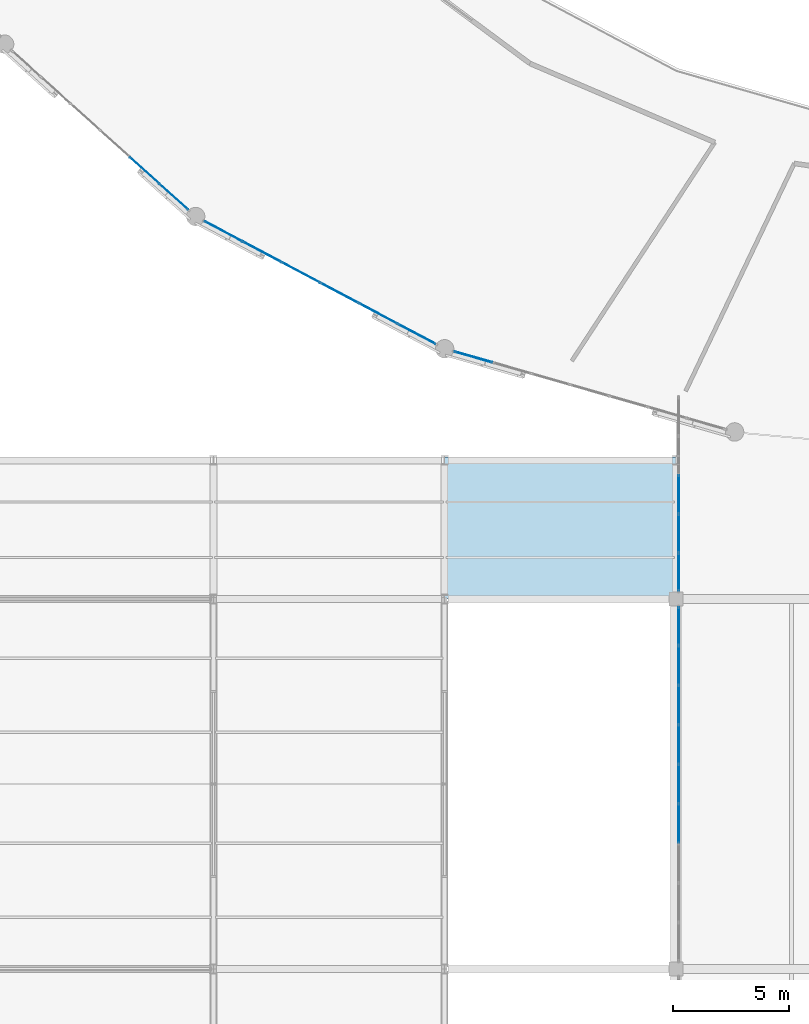
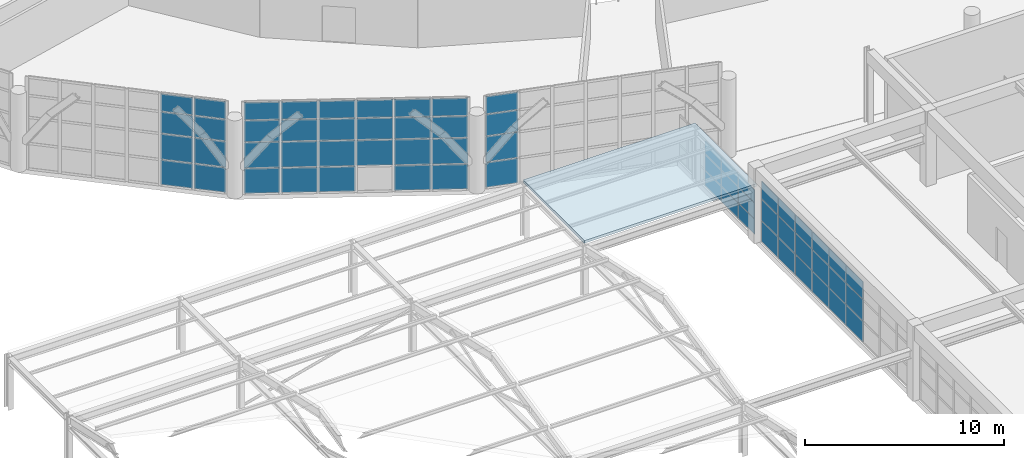
# One storey, part 62 of 109: 62 plates, 1 slab, 6 elements without a shape of their own.
"""IFC4 building model written with IfcOpenShell, lengths in metres."""

from ifc_helpers import new_model, si_unit, direction, frame, origin, origin_2d, place, context, subcontext, project, spatial, polyline, rectangle, outline, extrude, material, layer, layer_set, type_object, element, aggregate, save


model = new_model("IFC4")

# Units and contexts
model_context = context("Model", 3, precision=1e-05, world=origin(), true_north=direction((0.0, 1.0)))
body_context = subcontext(model_context, "Body", "Model", "MODEL_VIEW")
ifc_project = project(units=[si_unit("LENGTHUNIT", "METRE"), si_unit("AREAUNIT", "SQUARE_METRE"), si_unit("VOLUMEUNIT", "CUBIC_METRE"), si_unit("PLANEANGLEUNIT", "RADIAN"), si_unit("MASSUNIT", "GRAM", prefix="KILO")], contexts=[model_context])

# Site, building, storey
site_placement = place(None, origin())
site = spatial("IfcSite", under=ifc_project, at=site_placement, CompositionType="ELEMENT")
building_placement = place(site_placement, origin())
building = spatial("IfcBuilding", under=site, at=building_placement, Name="Kivolera Central Railway Station", CompositionType="ELEMENT")
storey_placement = place(building_placement, frame((0.0, 0.0, 9.60009765625)))
storey = spatial("IfcBuildingStorey", under=building, at=storey_placement, Name="L02", CompositionType="ELEMENT", Elevation=9.60009765625)

# Curtain wall, plates
ifc_material_1 = material(Name="Anodised aluminium", Category="aluminium")
ifc_layer_1 = layer(ifc_material_1, 0.179931640625, Name="Anodised aluminium")
ifc_layer_set_1 = layer_set([ifc_layer_1], Name="Anodised aluminium")
curtain_wall_type_1 = type_object("IfcCurtainWallType", Name="CW-SYS-06", PredefinedType="NOTDEFINED", material=ifc_layer_set_1)
curtain_wall_1_placement = place(storey_placement, origin())
curtain_wall_1 = element("IfcCurtainWall", 1, at=curtain_wall_1_placement, inside=storey, type_object=curtain_wall_type_1, Name="L02 Curtain Wall CW-L02-OVL-14", PredefinedType="NOTDEFINED")
ifc_material_2 = material(Name="Double low-E laminated glass", Category="glass")
ifc_layer_2 = layer(ifc_material_2, 0.030029296875, Name="Double low-E laminated glass")
ifc_layer_set_2 = layer_set([ifc_layer_2], Name="Double low-E laminated glass")
plate_type_1 = type_object("IfcPlateType", Name="CWP-GLZ-2", PredefinedType="CURTAIN_PANEL", material=ifc_layer_set_2)
plate_1_placement = place(storey_placement, frame((26.281005859375, 65.400390625, 0.057861328125), z_axis=(0.0, 0.0, 1.0), x_axis=(-0.742431873669, 0.669921572246, 0.0)))
plate_1 = element("IfcPlate", 2, at=plate_1_placement, type_object=plate_type_1, Name="CW-06 panel 1.1", PredefinedType="CURTAIN_PANEL", context=body_context, shape_type="SweptSolid", body=[
    extrude(rectangle(XDim=1.640625, YDim=0.030029296875, at=origin_2d()), origin(), (0.0, 0.0, 1.0), 1.51904296875),
])
plate_2_placement = place(storey_placement, frame((26.281005859375, 65.400390625, 1.623046875), z_axis=(0.0, 0.0, 1.0), x_axis=(-0.742431873669, 0.669921572246, 0.0)))
plate_2 = element("IfcPlate", 3, at=plate_2_placement, type_object=plate_type_1, Name="CW-06 panel 1.2", PredefinedType="CURTAIN_PANEL", context=body_context, shape_type="SweptSolid", body=[
    extrude(rectangle(XDim=1.640625, YDim=0.030029296875, at=origin_2d()), origin(), (0.0, 0.0, 1.0), 1.553955078125),
])
plate_3_placement = place(storey_placement, frame((26.281005859375, 65.400390625, 3.22314453125), z_axis=(0.0, 0.0, 1.0), x_axis=(-0.742431873669, 0.669921572246, 0.0)))
plate_3 = element("IfcPlate", 4, at=plate_3_placement, type_object=plate_type_1, Name="CW-06 panel 1.3", PredefinedType="CURTAIN_PANEL", context=body_context, shape_type="SweptSolid", body=[
    extrude(rectangle(XDim=1.640625, YDim=0.030029296875, at=origin_2d()), origin(), (0.0, 0.0, 1.0), 1.303955078125),
])
plate_4_placement = place(storey_placement, frame((26.281005859375, 65.400390625, 4.57275390625), z_axis=(0.0, 0.0, 1.0), x_axis=(-0.742431873669, 0.669921572246, 0.0)))
plate_4 = element("IfcPlate", 5, at=plate_4_placement, type_object=plate_type_1, Name="CW-06 panel 1.4", PredefinedType="CURTAIN_PANEL", context=body_context, shape_type="SweptSolid", body=[
    extrude(rectangle(XDim=1.640625, YDim=0.030029296875, at=origin_2d()), origin(), (0.0, 0.0, 1.0), 1.069091796875),
])
plate_5_placement = place(storey_placement, frame((25.015869140625, 66.5419921875, 0.057861328125), z_axis=(0.0, 0.0, 1.0), x_axis=(-0.742431873669, 0.669921572246, 0.0)))
plate_5 = element("IfcPlate", 6, at=plate_5_placement, type_object=plate_type_1, Name="CW-06 panel 2.1", PredefinedType="CURTAIN_PANEL", context=body_context, shape_type="SweptSolid", body=[
    extrude(rectangle(XDim=1.675537109375, YDim=0.030029296875, at=origin_2d()), origin(), (0.0, 0.0, 1.0), 1.51904296875),
])
plate_6_placement = place(storey_placement, frame((25.015869140625, 66.5419921875, 1.623046875), z_axis=(0.0, 0.0, 1.0), x_axis=(-0.742431873669, 0.669921572246, 0.0)))
plate_6 = element("IfcPlate", 7, at=plate_6_placement, type_object=plate_type_1, Name="CW-06 panel 2.2", PredefinedType="CURTAIN_PANEL", context=body_context, shape_type="SweptSolid", body=[
    extrude(rectangle(XDim=1.675537109375, YDim=0.030029296875, at=origin_2d()), origin(), (0.0, 0.0, 1.0), 1.553955078125),
])
plate_7_placement = place(storey_placement, frame((25.015869140625, 66.5419921875, 3.22314453125), z_axis=(0.0, 0.0, 1.0), x_axis=(-0.742431873669, 0.669921572246, 0.0)))
plate_7 = element("IfcPlate", 8, at=plate_7_placement, type_object=plate_type_1, Name="CW-06 panel 2.3", PredefinedType="CURTAIN_PANEL", context=body_context, shape_type="SweptSolid", body=[
    extrude(rectangle(XDim=1.675537109375, YDim=0.030029296875, at=origin_2d()), origin(), (0.0, 0.0, 1.0), 1.303955078125),
])
plate_8_placement = place(storey_placement, frame((25.015869140625, 66.5419921875, 4.57275390625), z_axis=(0.0, 0.0, 1.0), x_axis=(-0.742431873669, 0.669921572246, 0.0)))
plate_8 = element("IfcPlate", 9, at=plate_8_placement, type_object=plate_type_1, Name="CW-06 panel 2.4", PredefinedType="CURTAIN_PANEL", context=body_context, shape_type="SweptSolid", body=[
    extrude(rectangle(XDim=1.675537109375, YDim=0.030029296875, at=origin_2d()), origin(), (0.0, 0.0, 1.0), 1.069091796875),
])
aggregate(curtain_wall_1, [plate_1, plate_2, plate_3, plate_4, plate_5, plate_6, plate_7, plate_8])

ifc_layer_3 = layer(ifc_material_1, 0.179931640625, Name="Anodised aluminium")
ifc_layer_set_3 = layer_set([ifc_layer_3], Name="Anodised aluminium")
curtain_wall_type_2 = type_object("IfcCurtainWallType", Name="CW-SYS-09", PredefinedType="NOTDEFINED", material=ifc_layer_set_3)
curtain_wall_2_placement = place(storey_placement, origin())
curtain_wall_2 = element("IfcCurtainWall", 10, at=curtain_wall_2_placement, inside=storey, type_object=curtain_wall_type_2, Name="L02 Curtain Wall CW-L02-OVL-15", PredefinedType="NOTDEFINED")
ifc_layer_4 = layer(ifc_material_2, 0.033935546875, Name="Double low-E laminated glass")
ifc_layer_set_4 = layer_set([ifc_layer_4], Name="Double low-E laminated glass")
plate_type_2 = type_object("IfcPlateType", Name="CWP-GLZ-3", PredefinedType="CURTAIN_PANEL", material=ifc_layer_set_4)
plate_9_placement = place(storey_placement, frame((36.79296875, 59.464599609375, 0.057861328125), z_axis=(0.0, 0.0, 1.0), x_axis=(-0.883170250772, 0.46905256438, 0.0)))
plate_9 = element("IfcPlate", 11, at=plate_9_placement, type_object=plate_type_2, Name="CW-09 panel 1.1", PredefinedType="CURTAIN_PANEL", context=body_context, shape_type="SweptSolid", body=[
    extrude(rectangle(XDim=1.818115234375, YDim=0.033935546875, at=origin_2d()), origin(), (0.0, 0.0, 1.0), 1.51904296875),
])
plate_10_placement = place(storey_placement, frame((36.79296875, 59.464599609375, 1.623046875), z_axis=(0.0, 0.0, 1.0), x_axis=(-0.883170250772, 0.46905256438, 0.0)))
plate_10 = element("IfcPlate", 12, at=plate_10_placement, type_object=plate_type_2, Name="CW-09 panel 1.2", PredefinedType="CURTAIN_PANEL", context=body_context, shape_type="SweptSolid", body=[
    extrude(rectangle(XDim=1.818115234375, YDim=0.033935546875, at=origin_2d()), origin(), (0.0, 0.0, 1.0), 1.553955078125),
])
plate_11_placement = place(storey_placement, frame((36.79296875, 59.464599609375, 3.22314453125), z_axis=(0.0, 0.0, 1.0), x_axis=(-0.883170250772, 0.46905256438, 0.0)))
plate_11 = element("IfcPlate", 13, at=plate_11_placement, type_object=plate_type_2, Name="CW-09 panel 1.3", PredefinedType="CURTAIN_PANEL", context=body_context, shape_type="SweptSolid", body=[
    extrude(rectangle(XDim=1.818115234375, YDim=0.033935546875, at=origin_2d()), origin(), (0.0, 0.0, 1.0), 1.303955078125),
])
plate_12_placement = place(storey_placement, frame((36.79296875, 59.464599609375, 4.57275390625), z_axis=(0.0, 0.0, 1.0), x_axis=(-0.883170250772, 0.46905256438, 0.0)))
plate_12 = element("IfcPlate", 14, at=plate_12_placement, type_object=plate_type_2, Name="CW-09 panel 1.4", PredefinedType="CURTAIN_PANEL", context=body_context, shape_type="SweptSolid", body=[
    extrude(rectangle(XDim=1.818115234375, YDim=0.033935546875, at=origin_2d()), origin(), (0.0, 0.0, 1.0), 1.069091796875),
])
plate_13_placement = place(storey_placement, frame((35.131103515625, 60.34716796875, 0.057861328125), z_axis=(0.0, 0.0, 1.0), x_axis=(-0.883170250772, 0.46905256438, 0.0)))
plate_13 = element("IfcPlate", 15, at=plate_13_placement, type_object=plate_type_2, Name="CW-09 panel 2.1", PredefinedType="CURTAIN_PANEL", context=body_context, shape_type="SweptSolid", body=[
    extrude(rectangle(XDim=1.853271484375, YDim=0.033935546875, at=origin_2d()), origin(), (0.0, 0.0, 1.0), 1.51904296875),
])
plate_14_placement = place(storey_placement, frame((35.131103515625, 60.34716796875, 1.623046875), z_axis=(0.0, 0.0, 1.0), x_axis=(-0.883170250772, 0.46905256438, 0.0)))
plate_14 = element("IfcPlate", 16, at=plate_14_placement, type_object=plate_type_2, Name="CW-09 panel 2.2", PredefinedType="CURTAIN_PANEL", context=body_context, shape_type="SweptSolid", body=[
    extrude(rectangle(XDim=1.853271484375, YDim=0.033935546875, at=origin_2d()), origin(), (0.0, 0.0, 1.0), 1.553955078125),
])
plate_15_placement = place(storey_placement, frame((35.131103515625, 60.34716796875, 3.22314453125), z_axis=(0.0, 0.0, 1.0), x_axis=(-0.883170250772, 0.46905256438, 0.0)))
plate_15 = element("IfcPlate", 17, at=plate_15_placement, type_object=plate_type_2, Name="CW-09 panel 2.3", PredefinedType="CURTAIN_PANEL", context=body_context, shape_type="SweptSolid", body=[
    extrude(rectangle(XDim=1.853271484375, YDim=0.033935546875, at=origin_2d()), origin(), (0.0, 0.0, 1.0), 1.303955078125),
])
plate_16_placement = place(storey_placement, frame((35.131103515625, 60.34716796875, 4.57275390625), z_axis=(0.0, 0.0, 1.0), x_axis=(-0.883170250772, 0.46905256438, 0.0)))
plate_16 = element("IfcPlate", 18, at=plate_16_placement, type_object=plate_type_2, Name="CW-09 panel 2.4", PredefinedType="CURTAIN_PANEL", context=body_context, shape_type="SweptSolid", body=[
    extrude(rectangle(XDim=1.853271484375, YDim=0.033935546875, at=origin_2d()), origin(), (0.0, 0.0, 1.0), 1.069091796875),
])
plate_17_placement = place(storey_placement, frame((33.45361328125, 61.238037109375, 1.623046875), z_axis=(0.0, 0.0, 1.0), x_axis=(-0.883170250772, 0.46905256438, 0.0)))
plate_17 = element("IfcPlate", 19, at=plate_17_placement, type_object=plate_type_2, Name="CW-09 panel 3.2", PredefinedType="CURTAIN_PANEL", context=body_context, shape_type="SweptSolid", body=[
    extrude(rectangle(XDim=1.853271484375, YDim=0.033935546875, at=origin_2d()), origin(), (0.0, 0.0, 1.0), 1.553955078125),
])
plate_18_placement = place(storey_placement, frame((33.45361328125, 61.238037109375, 3.22314453125), z_axis=(0.0, 0.0, 1.0), x_axis=(-0.883170250772, 0.46905256438, 0.0)))
plate_18 = element("IfcPlate", 20, at=plate_18_placement, type_object=plate_type_2, Name="CW-09 panel 3.3", PredefinedType="CURTAIN_PANEL", context=body_context, shape_type="SweptSolid", body=[
    extrude(rectangle(XDim=1.853271484375, YDim=0.033935546875, at=origin_2d()), origin(), (0.0, 0.0, 1.0), 1.303955078125),
])
plate_19_placement = place(storey_placement, frame((33.45361328125, 61.238037109375, 4.57275390625), z_axis=(0.0, 0.0, 1.0), x_axis=(-0.883170250772, 0.46905256438, 0.0)))
plate_19 = element("IfcPlate", 21, at=plate_19_placement, type_object=plate_type_2, Name="CW-09 panel 3.4", PredefinedType="CURTAIN_PANEL", context=body_context, shape_type="SweptSolid", body=[
    extrude(rectangle(XDim=1.853271484375, YDim=0.033935546875, at=origin_2d()), origin(), (0.0, 0.0, 1.0), 1.069091796875),
])
plate_20_placement = place(storey_placement, frame((31.7763671875, 62.12890625, 0.057861328125), z_axis=(0.0, 0.0, 1.0), x_axis=(-0.883170250772, 0.46905256438, 0.0)))
plate_20 = element("IfcPlate", 22, at=plate_20_placement, type_object=plate_type_2, Name="CW-09 panel 4.1", PredefinedType="CURTAIN_PANEL", context=body_context, shape_type="SweptSolid", body=[
    extrude(rectangle(XDim=1.853271484375, YDim=0.033935546875, at=origin_2d()), origin(), (0.0, 0.0, 1.0), 1.51904296875),
])
plate_21_placement = place(storey_placement, frame((31.7763671875, 62.12890625, 1.623046875), z_axis=(0.0, 0.0, 1.0), x_axis=(-0.883170250772, 0.46905256438, 0.0)))
plate_21 = element("IfcPlate", 23, at=plate_21_placement, type_object=plate_type_2, Name="CW-09 panel 4.2", PredefinedType="CURTAIN_PANEL", context=body_context, shape_type="SweptSolid", body=[
    extrude(rectangle(XDim=1.853271484375, YDim=0.033935546875, at=origin_2d()), origin(), (0.0, 0.0, 1.0), 1.553955078125),
])
plate_22_placement = place(storey_placement, frame((31.7763671875, 62.12890625, 3.22314453125), z_axis=(0.0, 0.0, 1.0), x_axis=(-0.883170250772, 0.46905256438, 0.0)))
plate_22 = element("IfcPlate", 24, at=plate_22_placement, type_object=plate_type_2, Name="CW-09 panel 4.3", PredefinedType="CURTAIN_PANEL", context=body_context, shape_type="SweptSolid", body=[
    extrude(rectangle(XDim=1.853271484375, YDim=0.033935546875, at=origin_2d()), origin(), (0.0, 0.0, 1.0), 1.303955078125),
])
plate_23_placement = place(storey_placement, frame((31.7763671875, 62.12890625, 4.57275390625), z_axis=(0.0, 0.0, 1.0), x_axis=(-0.883170250772, 0.46905256438, 0.0)))
plate_23 = element("IfcPlate", 25, at=plate_23_placement, type_object=plate_type_2, Name="CW-09 panel 4.4", PredefinedType="CURTAIN_PANEL", context=body_context, shape_type="SweptSolid", body=[
    extrude(rectangle(XDim=1.853271484375, YDim=0.033935546875, at=origin_2d()), origin(), (0.0, 0.0, 1.0), 1.069091796875),
])
plate_24_placement = place(storey_placement, frame((30.09912109375, 63.019775390625, 0.057861328125), z_axis=(0.0, 0.0, 1.0), x_axis=(-0.883170250772, 0.46905256438, 0.0)))
plate_24 = element("IfcPlate", 26, at=plate_24_placement, type_object=plate_type_2, Name="CW-09 panel 5.1", PredefinedType="CURTAIN_PANEL", context=body_context, shape_type="SweptSolid", body=[
    extrude(rectangle(XDim=1.853271484375, YDim=0.033935546875, at=origin_2d()), origin(), (0.0, 0.0, 1.0), 1.51904296875),
])
plate_25_placement = place(storey_placement, frame((30.09912109375, 63.019775390625, 1.623046875), z_axis=(0.0, 0.0, 1.0), x_axis=(-0.883170250772, 0.46905256438, 0.0)))
plate_25 = element("IfcPlate", 27, at=plate_25_placement, type_object=plate_type_2, Name="CW-09 panel 5.2", PredefinedType="CURTAIN_PANEL", context=body_context, shape_type="SweptSolid", body=[
    extrude(rectangle(XDim=1.853271484375, YDim=0.033935546875, at=origin_2d()), origin(), (0.0, 0.0, 1.0), 1.553955078125),
])
plate_26_placement = place(storey_placement, frame((30.09912109375, 63.019775390625, 3.22314453125), z_axis=(0.0, 0.0, 1.0), x_axis=(-0.883170250772, 0.46905256438, 0.0)))
plate_26 = element("IfcPlate", 28, at=plate_26_placement, type_object=plate_type_2, Name="CW-09 panel 5.3", PredefinedType="CURTAIN_PANEL", context=body_context, shape_type="SweptSolid", body=[
    extrude(rectangle(XDim=1.853271484375, YDim=0.033935546875, at=origin_2d()), origin(), (0.0, 0.0, 1.0), 1.303955078125),
])
plate_27_placement = place(storey_placement, frame((30.09912109375, 63.019775390625, 4.57275390625), z_axis=(0.0, 0.0, 1.0), x_axis=(-0.883170250772, 0.46905256438, 0.0)))
plate_27 = element("IfcPlate", 29, at=plate_27_placement, type_object=plate_type_2, Name="CW-09 panel 5.4", PredefinedType="CURTAIN_PANEL", context=body_context, shape_type="SweptSolid", body=[
    extrude(rectangle(XDim=1.853271484375, YDim=0.033935546875, at=origin_2d()), origin(), (0.0, 0.0, 1.0), 1.069091796875),
])
plate_28_placement = place(storey_placement, frame((28.43701171875, 63.90234375, 0.057861328125), z_axis=(0.0, 0.0, 1.0), x_axis=(-0.883170250772, 0.46905256438, 0.0)))
plate_28 = element("IfcPlate", 30, at=plate_28_placement, type_object=plate_type_2, Name="CW-09 panel 6.1", PredefinedType="CURTAIN_PANEL", context=body_context, shape_type="SweptSolid", body=[
    extrude(rectangle(XDim=1.818115234375, YDim=0.033935546875, at=origin_2d()), origin(), (0.0, 0.0, 1.0), 1.51904296875),
])
plate_29_placement = place(storey_placement, frame((28.43701171875, 63.90234375, 1.623046875), z_axis=(0.0, 0.0, 1.0), x_axis=(-0.883170250772, 0.46905256438, 0.0)))
plate_29 = element("IfcPlate", 31, at=plate_29_placement, type_object=plate_type_2, Name="CW-09 panel 6.2", PredefinedType="CURTAIN_PANEL", context=body_context, shape_type="SweptSolid", body=[
    extrude(rectangle(XDim=1.818115234375, YDim=0.033935546875, at=origin_2d()), origin(), (0.0, 0.0, 1.0), 1.553955078125),
])
plate_30_placement = place(storey_placement, frame((28.43701171875, 63.90234375, 3.22314453125), z_axis=(0.0, 0.0, 1.0), x_axis=(-0.883170250772, 0.46905256438, 0.0)))
plate_30 = element("IfcPlate", 32, at=plate_30_placement, type_object=plate_type_2, Name="CW-09 panel 6.3", PredefinedType="CURTAIN_PANEL", context=body_context, shape_type="SweptSolid", body=[
    extrude(rectangle(XDim=1.818115234375, YDim=0.033935546875, at=origin_2d()), origin(), (0.0, 0.0, 1.0), 1.303955078125),
])
plate_31_placement = place(storey_placement, frame((28.43701171875, 63.90234375, 4.57275390625), z_axis=(0.0, 0.0, 1.0), x_axis=(-0.883170250772, 0.46905256438, 0.0)))
plate_31 = element("IfcPlate", 33, at=plate_31_placement, type_object=plate_type_2, Name="CW-09 panel 6.4", PredefinedType="CURTAIN_PANEL", context=body_context, shape_type="SweptSolid", body=[
    extrude(rectangle(XDim=1.818115234375, YDim=0.033935546875, at=origin_2d()), origin(), (0.0, 0.0, 1.0), 1.069091796875),
])
aggregate(curtain_wall_2, [plate_9, plate_10, plate_11, plate_12, plate_13, plate_14, plate_15, plate_16, plate_17, plate_18, plate_19, plate_20, plate_21, plate_22, plate_23, plate_24, plate_25, plate_26, plate_27, plate_28, plate_29, plate_30, plate_31])

ifc_layer_5 = layer(ifc_material_1, 0.179931640625, Name="Anodised aluminium")
ifc_layer_set_5 = layer_set([ifc_layer_5], Name="Anodised aluminium")
curtain_wall_type_3 = type_object("IfcCurtainWallType", Name="CW-SYS-11", PredefinedType="NOTDEFINED", material=ifc_layer_set_5)
curtain_wall_3_placement = place(storey_placement, origin())
curtain_wall_3 = element("IfcCurtainWall", 34, at=curtain_wall_3_placement, inside=storey, type_object=curtain_wall_type_3, Name="L02 Curtain Wall CW-L02-OVL-16", PredefinedType="NOTDEFINED")
ifc_layer_6 = layer(ifc_material_2, 0.0380859375, Name="Double low-E laminated glass")
ifc_layer_set_6 = layer_set([ifc_layer_6], Name="Double low-E laminated glass")
plate_type_3 = type_object("IfcPlateType", Name="CWP-GLZ-4", PredefinedType="CURTAIN_PANEL", material=ifc_layer_set_6)
plate_32_placement = place(storey_placement, frame((39.24267578125, 58.467041015625, 0.057861328125), z_axis=(0.0, 0.0, 1.0), x_axis=(-0.961246112288, 0.275691696668, 0.0)))
plate_32 = element("IfcPlate", 35, at=plate_32_placement, type_object=plate_type_3, Name="CW-11 panel 7.1", PredefinedType="CURTAIN_PANEL", context=body_context, shape_type="SweptSolid", body=[
    extrude(rectangle(XDim=1.66845703125, YDim=0.0380859375, at=origin_2d()), origin(), (0.0, 0.0, 1.0), 1.51904296875),
])
plate_33_placement = place(storey_placement, frame((39.24267578125, 58.467041015625, 1.623046875), z_axis=(0.0, 0.0, 1.0), x_axis=(-0.961246112288, 0.275691696668, 0.0)))
plate_33 = element("IfcPlate", 36, at=plate_33_placement, type_object=plate_type_3, Name="CW-11 panel 7.2", PredefinedType="CURTAIN_PANEL", context=body_context, shape_type="SweptSolid", body=[
    extrude(rectangle(XDim=1.66845703125, YDim=0.0380859375, at=origin_2d()), origin(), (0.0, 0.0, 1.0), 1.553955078125),
])
plate_34_placement = place(storey_placement, frame((39.24267578125, 58.467041015625, 3.22314453125), z_axis=(0.0, 0.0, 1.0), x_axis=(-0.961246112288, 0.275691696668, 0.0)))
plate_34 = element("IfcPlate", 37, at=plate_34_placement, type_object=plate_type_3, Name="CW-11 panel 7.3", PredefinedType="CURTAIN_PANEL", context=body_context, shape_type="SweptSolid", body=[
    extrude(rectangle(XDim=1.66845703125, YDim=0.0380859375, at=origin_2d()), origin(), (0.0, 0.0, 1.0), 1.303955078125),
])
plate_35_placement = place(storey_placement, frame((39.24267578125, 58.467041015625, 4.57275390625), z_axis=(0.0, 0.0, 1.0), x_axis=(-0.961246112288, 0.275691696668, 0.0)))
plate_35 = element("IfcPlate", 38, at=plate_35_placement, type_object=plate_type_3, Name="CW-11 panel 7.4", PredefinedType="CURTAIN_PANEL", context=body_context, shape_type="SweptSolid", body=[
    extrude(rectangle(XDim=1.66845703125, YDim=0.0380859375, at=origin_2d()), origin(), (0.0, 0.0, 1.0), 1.069091796875),
])
aggregate(curtain_wall_3, [plate_32, plate_33, plate_34, plate_35])

ifc_layer_7 = layer(ifc_material_1, 0.179931640625, Name="Anodised aluminium")
ifc_layer_set_7 = layer_set([ifc_layer_7], Name="Anodised aluminium")
curtain_wall_type_4 = type_object("IfcCurtainWallType", Name="CW-SYS-18", PredefinedType="NOTDEFINED", material=ifc_layer_set_7)
curtain_wall_4_placement = place(storey_placement, origin())
curtain_wall_4 = element("IfcCurtainWall", 39, at=curtain_wall_4_placement, inside=storey, type_object=curtain_wall_type_4, Name="L02 Curtain Wall CW-L02-BRGW-3", PredefinedType="NOTDEFINED")
plate_36_placement = place(storey_placement, frame((48.1201171875, 38.291015625, 0.0478515625), z_axis=(0.0, 0.0, 1.0), x_axis=(0.0, 1.0, 0.0)))
plate_36 = element("IfcPlate", 40, at=plate_36_placement, type_object=plate_type_3, Name="CW-18 panel 4.1", PredefinedType="CURTAIN_PANEL", context=body_context, shape_type="SweptSolid", body=[
    extrude(rectangle(XDim=1.6728515625, YDim=0.0380859375, at=origin_2d()), origin(), (0.0, 0.0, 1.0), 1.263916015625),
])
plate_37_placement = place(storey_placement, frame((48.1201171875, 38.291015625, 1.347900390625), z_axis=(0.0, 0.0, 1.0), x_axis=(0.0, 1.0, 0.0)))
plate_37 = element("IfcPlate", 41, at=plate_37_placement, type_object=plate_type_3, Name="CW-18 panel 4.2", PredefinedType="CURTAIN_PANEL", context=body_context, shape_type="SweptSolid", body=[
    extrude(rectangle(XDim=1.6728515625, YDim=0.0380859375, at=origin_2d()), origin(), (0.0, 0.0, 1.0), 1.2939453125),
])
plate_38_placement = place(storey_placement, frame((48.1201171875, 38.291015625, 2.677734375), z_axis=(0.0, 0.0, 1.0), x_axis=(0.0, 1.0, 0.0)))
plate_38 = element("IfcPlate", 42, at=plate_38_placement, type_object=plate_type_3, Name="CW-18 panel 4.3", PredefinedType="CURTAIN_PANEL", context=body_context, shape_type="SweptSolid", body=[
    extrude(rectangle(XDim=1.6728515625, YDim=0.0380859375, at=origin_2d()), origin(), (0.0, 0.0, 1.0), 1.073974609375),
])
plate_39_placement = place(storey_placement, frame((48.1201171875, 40.0, 0.0478515625), z_axis=(0.0, 0.0, 1.0), x_axis=(0.0, 1.0, 0.0)))
plate_39 = element("IfcPlate", 43, at=plate_39_placement, type_object=plate_type_3, Name="CW-18 panel 5.1", PredefinedType="CURTAIN_PANEL", context=body_context, shape_type="SweptSolid", body=[
    extrude(rectangle(XDim=1.6728515625, YDim=0.0380859375, at=origin_2d()), origin(), (0.0, 0.0, 1.0), 1.263916015625),
])
plate_40_placement = place(storey_placement, frame((48.1201171875, 40.0, 1.347900390625), z_axis=(0.0, 0.0, 1.0), x_axis=(0.0, 1.0, 0.0)))
plate_40 = element("IfcPlate", 44, at=plate_40_placement, type_object=plate_type_3, Name="CW-18 panel 5.2", PredefinedType="CURTAIN_PANEL", context=body_context, shape_type="SweptSolid", body=[
    extrude(rectangle(XDim=1.6728515625, YDim=0.0380859375, at=origin_2d()), origin(), (0.0, 0.0, 1.0), 1.2939453125),
])
plate_41_placement = place(storey_placement, frame((48.1201171875, 40.0, 2.677734375), z_axis=(0.0, 0.0, 1.0), x_axis=(0.0, 1.0, 0.0)))
plate_41 = element("IfcPlate", 45, at=plate_41_placement, type_object=plate_type_3, Name="CW-18 panel 5.3", PredefinedType="CURTAIN_PANEL", context=body_context, shape_type="SweptSolid", body=[
    extrude(rectangle(XDim=1.6728515625, YDim=0.0380859375, at=origin_2d()), origin(), (0.0, 0.0, 1.0), 1.073974609375),
])
plate_42_placement = place(storey_placement, frame((48.1201171875, 41.708984375, 0.0478515625), z_axis=(0.0, 0.0, 1.0), x_axis=(0.0, 1.0, 0.0)))
plate_42 = element("IfcPlate", 46, at=plate_42_placement, type_object=plate_type_3, Name="CW-18 panel 6.1", PredefinedType="CURTAIN_PANEL", context=body_context, shape_type="SweptSolid", body=[
    extrude(rectangle(XDim=1.6728515625, YDim=0.0380859375, at=origin_2d()), origin(), (0.0, 0.0, 1.0), 1.263916015625),
])
plate_43_placement = place(storey_placement, frame((48.1201171875, 41.708984375, 1.347900390625), z_axis=(0.0, 0.0, 1.0), x_axis=(0.0, 1.0, 0.0)))
plate_43 = element("IfcPlate", 47, at=plate_43_placement, type_object=plate_type_3, Name="CW-18 panel 6.2", PredefinedType="CURTAIN_PANEL", context=body_context, shape_type="SweptSolid", body=[
    extrude(rectangle(XDim=1.6728515625, YDim=0.0380859375, at=origin_2d()), origin(), (0.0, 0.0, 1.0), 1.2939453125),
])
plate_44_placement = place(storey_placement, frame((48.1201171875, 41.708984375, 2.677734375), z_axis=(0.0, 0.0, 1.0), x_axis=(0.0, 1.0, 0.0)))
plate_44 = element("IfcPlate", 48, at=plate_44_placement, type_object=plate_type_3, Name="CW-18 panel 6.3", PredefinedType="CURTAIN_PANEL", context=body_context, shape_type="SweptSolid", body=[
    extrude(rectangle(XDim=1.6728515625, YDim=0.0380859375, at=origin_2d()), origin(), (0.0, 0.0, 1.0), 1.073974609375),
])
plate_45_placement = place(storey_placement, frame((48.1201171875, 43.417724609375, 0.0478515625), z_axis=(0.0, 0.0, 1.0), x_axis=(0.0, 1.0, 0.0)))
plate_45 = element("IfcPlate", 49, at=plate_45_placement, type_object=plate_type_3, Name="CW-18 panel 7.1", PredefinedType="CURTAIN_PANEL", context=body_context, shape_type="SweptSolid", body=[
    extrude(rectangle(XDim=1.6728515625, YDim=0.0380859375, at=origin_2d()), origin(), (0.0, 0.0, 1.0), 1.263916015625),
])
plate_46_placement = place(storey_placement, frame((48.1201171875, 43.417724609375, 1.347900390625), z_axis=(0.0, 0.0, 1.0), x_axis=(0.0, 1.0, 0.0)))
plate_46 = element("IfcPlate", 50, at=plate_46_placement, type_object=plate_type_3, Name="CW-18 panel 7.2", PredefinedType="CURTAIN_PANEL", context=body_context, shape_type="SweptSolid", body=[
    extrude(rectangle(XDim=1.6728515625, YDim=0.0380859375, at=origin_2d()), origin(), (0.0, 0.0, 1.0), 1.2939453125),
])
plate_47_placement = place(storey_placement, frame((48.1201171875, 43.417724609375, 2.677734375), z_axis=(0.0, 0.0, 1.0), x_axis=(0.0, 1.0, 0.0)))
plate_47 = element("IfcPlate", 51, at=plate_47_placement, type_object=plate_type_3, Name="CW-18 panel 7.3", PredefinedType="CURTAIN_PANEL", context=body_context, shape_type="SweptSolid", body=[
    extrude(rectangle(XDim=1.6728515625, YDim=0.0380859375, at=origin_2d()), origin(), (0.0, 0.0, 1.0), 1.073974609375),
])
plate_48_placement = place(storey_placement, frame((48.1201171875, 45.126708984375, 0.0478515625), z_axis=(0.0, 0.0, 1.0), x_axis=(0.0, 1.0, 0.0)))
plate_48 = element("IfcPlate", 52, at=plate_48_placement, type_object=plate_type_3, Name="CW-18 panel 8.1", PredefinedType="CURTAIN_PANEL", context=body_context, shape_type="SweptSolid", body=[
    extrude(rectangle(XDim=1.6728515625, YDim=0.0380859375, at=origin_2d()), origin(), (0.0, 0.0, 1.0), 1.263916015625),
])
plate_49_placement = place(storey_placement, frame((48.1201171875, 45.126708984375, 1.347900390625), z_axis=(0.0, 0.0, 1.0), x_axis=(0.0, 1.0, 0.0)))
plate_49 = element("IfcPlate", 53, at=plate_49_placement, type_object=plate_type_3, Name="CW-18 panel 8.2", PredefinedType="CURTAIN_PANEL", context=body_context, shape_type="SweptSolid", body=[
    extrude(rectangle(XDim=1.6728515625, YDim=0.0380859375, at=origin_2d()), origin(), (0.0, 0.0, 1.0), 1.2939453125),
])
plate_50_placement = place(storey_placement, frame((48.1201171875, 45.126708984375, 2.677734375), z_axis=(0.0, 0.0, 1.0), x_axis=(0.0, 1.0, 0.0)))
plate_50 = element("IfcPlate", 54, at=plate_50_placement, type_object=plate_type_3, Name="CW-18 panel 8.3", PredefinedType="CURTAIN_PANEL", context=body_context, shape_type="SweptSolid", body=[
    extrude(rectangle(XDim=1.6728515625, YDim=0.0380859375, at=origin_2d()), origin(), (0.0, 0.0, 1.0), 1.073974609375),
])
plate_51_placement = place(storey_placement, frame((48.1201171875, 46.820556640625, 0.0478515625), z_axis=(0.0, 0.0, 1.0), x_axis=(0.0, 1.0, 0.0)))
plate_51 = element("IfcPlate", 55, at=plate_51_placement, type_object=plate_type_3, Name="CW-18 panel 9.1", PredefinedType="CURTAIN_PANEL", context=body_context, shape_type="SweptSolid", body=[
    extrude(rectangle(XDim=1.642822265625, YDim=0.0380859375, at=origin_2d()), origin(), (0.0, 0.0, 1.0), 1.263916015625),
])
plate_52_placement = place(storey_placement, frame((48.1201171875, 46.820556640625, 1.347900390625), z_axis=(0.0, 0.0, 1.0), x_axis=(0.0, 1.0, 0.0)))
plate_52 = element("IfcPlate", 56, at=plate_52_placement, type_object=plate_type_3, Name="CW-18 panel 9.2", PredefinedType="CURTAIN_PANEL", context=body_context, shape_type="SweptSolid", body=[
    extrude(rectangle(XDim=1.642822265625, YDim=0.0380859375, at=origin_2d()), origin(), (0.0, 0.0, 1.0), 1.2939453125),
])
plate_53_placement = place(storey_placement, frame((48.1201171875, 46.820556640625, 2.677734375), z_axis=(0.0, 0.0, 1.0), x_axis=(0.0, 1.0, 0.0)))
plate_53 = element("IfcPlate", 57, at=plate_53_placement, type_object=plate_type_3, Name="CW-18 panel 9.3", PredefinedType="CURTAIN_PANEL", context=body_context, shape_type="SweptSolid", body=[
    extrude(rectangle(XDim=1.642822265625, YDim=0.0380859375, at=origin_2d()), origin(), (0.0, 0.0, 1.0), 1.073974609375),
])
aggregate(curtain_wall_4, [plate_36, plate_37, plate_38, plate_39, plate_40, plate_41, plate_42, plate_43, plate_44, plate_45, plate_46, plate_47, plate_48, plate_49, plate_50, plate_51, plate_52, plate_53])

ifc_layer_8 = layer(ifc_material_1, 0.179931640625, Name="Anodised aluminium")
ifc_layer_set_8 = layer_set([ifc_layer_8], Name="Anodised aluminium")
curtain_wall_type_5 = type_object("IfcCurtainWallType", Name="CW-SYS-19", PredefinedType="NOTDEFINED", material=ifc_layer_set_8)
curtain_wall_5_placement = place(storey_placement, origin())
curtain_wall_5 = element("IfcCurtainWall", 58, at=curtain_wall_5_placement, inside=storey, type_object=curtain_wall_type_5, Name="L02 Curtain Wall CW-L02-BRGW-4", PredefinedType="NOTDEFINED")
ifc_layer_9 = layer(ifc_material_2, 0.0419921875, Name="Double low-E laminated glass")
ifc_layer_set_9 = layer_set([ifc_layer_9], Name="Double low-E laminated glass")
plate_type_4 = type_object("IfcPlateType", Name="CWP-GLZ-5", PredefinedType="CURTAIN_PANEL", material=ifc_layer_set_9)
plate_54_placement = place(storey_placement, frame((48.1201171875, 49.1689453125, 0.0478515625), z_axis=(0.0, 0.0, 1.0), x_axis=(0.0, 1.0, 0.0)))
plate_54 = element("IfcPlate", 59, at=plate_54_placement, type_object=plate_type_4, Name="CW-19 panel 1.1", PredefinedType="CURTAIN_PANEL", context=body_context, shape_type="SweptSolid", body=[
    extrude(rectangle(XDim=1.6220703125, YDim=0.0419921875, at=origin_2d()), origin(), (0.0, 0.0, 1.0), 0.9208984375),
])
plate_55_placement = place(storey_placement, frame((48.1201171875, 49.1689453125, 1.0048828125), z_axis=(0.0, 0.0, 1.0), x_axis=(0.0, 1.0, 0.0)))
plate_55 = element("IfcPlate", 60, at=plate_55_placement, type_object=plate_type_4, Name="CW-19 panel 1.2", PredefinedType="CURTAIN_PANEL", context=body_context, shape_type="SweptSolid", body=[
    extrude(rectangle(XDim=1.6220703125, YDim=0.0419921875, at=origin_2d()), origin(), (0.0, 0.0, 1.0), 0.950927734375),
])
plate_56_placement = place(storey_placement, frame((48.1201171875, 49.1689453125, 1.99169921875), z_axis=(0.0, 0.0, 1.0), x_axis=(0.0, 1.0, 0.0)))
plate_56 = element("IfcPlate", 61, at=plate_56_placement, type_object=plate_type_4, Name="CW-19 panel 1.3", PredefinedType="CURTAIN_PANEL", context=body_context, shape_type="SweptSolid", body=[
    extrude(rectangle(XDim=1.6220703125, YDim=0.0419921875, at=origin_2d()), origin(), (0.0, 0.0, 1.0), 0.780029296875),
])
plate_57_placement = place(storey_placement, frame((48.1201171875, 50.842041015625, 0.0478515625), z_axis=(0.0, 0.0, 1.0), x_axis=(0.0, 1.0, 0.0)))
plate_57 = element("IfcPlate", 62, at=plate_57_placement, type_object=plate_type_4, Name="CW-19 panel 2.1", PredefinedType="CURTAIN_PANEL", context=body_context, shape_type="SweptSolid", body=[
    extrude(rectangle(XDim=1.652099609375, YDim=0.0419921875, at=origin_2d()), origin(), (0.0, 0.0, 1.0), 0.9208984375),
])
plate_58_placement = place(storey_placement, frame((48.1201171875, 50.842041015625, 1.0048828125), z_axis=(0.0, 0.0, 1.0), x_axis=(0.0, 1.0, 0.0)))
plate_58 = element("IfcPlate", 63, at=plate_58_placement, type_object=plate_type_4, Name="CW-19 panel 2.2", PredefinedType="CURTAIN_PANEL", context=body_context, shape_type="SweptSolid", body=[
    extrude(rectangle(XDim=1.652099609375, YDim=0.0419921875, at=origin_2d()), origin(), (0.0, 0.0, 1.0), 0.950927734375),
])
plate_59_placement = place(storey_placement, frame((48.1201171875, 50.842041015625, 1.99169921875), z_axis=(0.0, 0.0, 1.0), x_axis=(0.0, 1.0, 0.0)))
plate_59 = element("IfcPlate", 64, at=plate_59_placement, type_object=plate_type_4, Name="CW-19 panel 2.3", PredefinedType="CURTAIN_PANEL", context=body_context, shape_type="SweptSolid", body=[
    extrude(rectangle(XDim=1.652099609375, YDim=0.0419921875, at=origin_2d()), origin(), (0.0, 0.0, 1.0), 0.780029296875),
])
plate_60_placement = place(storey_placement, frame((48.1201171875, 52.530029296875, 0.0478515625), z_axis=(0.0, 0.0, 1.0), x_axis=(0.0, 1.0, 0.0)))
plate_60 = element("IfcPlate", 65, at=plate_60_placement, type_object=plate_type_4, Name="CW-19 panel 3.1", PredefinedType="CURTAIN_PANEL", context=body_context, shape_type="SweptSolid", body=[
    extrude(rectangle(XDim=1.652099609375, YDim=0.0419921875, at=origin_2d()), origin(), (0.0, 0.0, 1.0), 0.9208984375),
])
plate_61_placement = place(storey_placement, frame((48.1201171875, 52.530029296875, 1.0048828125), z_axis=(0.0, 0.0, 1.0), x_axis=(0.0, 1.0, 0.0)))
plate_61 = element("IfcPlate", 66, at=plate_61_placement, type_object=plate_type_4, Name="CW-19 panel 3.2", PredefinedType="CURTAIN_PANEL", context=body_context, shape_type="SweptSolid", body=[
    extrude(rectangle(XDim=1.652099609375, YDim=0.0419921875, at=origin_2d()), origin(), (0.0, 0.0, 1.0), 0.950927734375),
])
plate_62_placement = place(storey_placement, frame((48.1201171875, 52.530029296875, 1.99169921875), z_axis=(0.0, 0.0, 1.0), x_axis=(0.0, 1.0, 0.0)))
plate_62 = element("IfcPlate", 67, at=plate_62_placement, type_object=plate_type_4, Name="CW-19 panel 3.3", PredefinedType="CURTAIN_PANEL", context=body_context, shape_type="SweptSolid", body=[
    extrude(rectangle(XDim=1.652099609375, YDim=0.0419921875, at=origin_2d()), origin(), (0.0, 0.0, 1.0), 0.780029296875),
])
aggregate(curtain_wall_5, [plate_54, plate_55, plate_56, plate_57, plate_58, plate_59, plate_60, plate_61, plate_62])

# Roof, slab
ifc_material_3 = material(Name="Steel S355", Category="steel")
roof_type = type_object("IfcRoofType", Name="ROOF-SYS-1", PredefinedType="GABLE_ROOF", material=ifc_material_3)
roof_placement = place(storey_placement, origin())
roof = element("IfcRoof", 68, at=roof_placement, inside=storey, type_object=roof_type, Name="Southern Through-Platform Dual-Pitch Steel Train-Shed Roof", PredefinedType="GABLE_ROOF")
ifc_material_4 = material(Name="Precast concrete C40/50", Category="concrete")
ifc_layer_10 = layer(ifc_material_4, 0.159912109375, Name="Precast concrete C40/50")
ifc_layer_set_10 = layer_set([ifc_layer_10], Name="Precast concrete C40/50")
slab_type = type_object("IfcSlabType", Name="SLB-SHED-160", PredefinedType="ROOF", material=ifc_layer_set_10)
slab_placement = place(storey_placement, frame((38.0, 48.0, 3.411865234375), z_axis=(0.0, -0.002262796906, 0.999997439872), x_axis=(1.0, 0.0, 0.0)))
slab = element("IfcSlab", 69, at=slab_placement, type_object=slab_type, Name="Train Shed Threshold Canopy Roof Panel DE-04", PredefinedType="ROOF", context=body_context, shape_type="SweptSolid", body=[
    extrude(outline(polyline([(0.0, 0.0), (10.0, 0.0), (10.0, 6.1499180883287075), (0.0, 6.1499180883287075), (0.0, 0.0)])), origin(), (0.0, 0.0, -1.0), 0.159912109375),
])
aggregate(roof, [slab])

save(model, "model.ifc")
